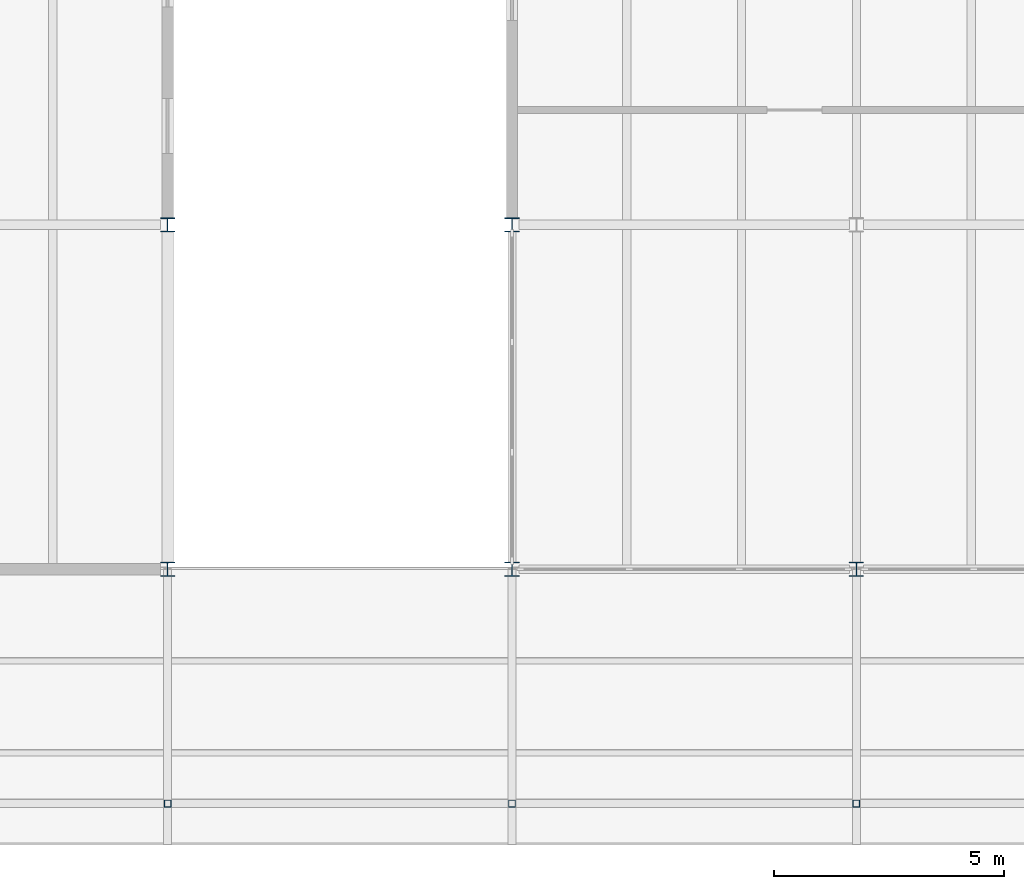
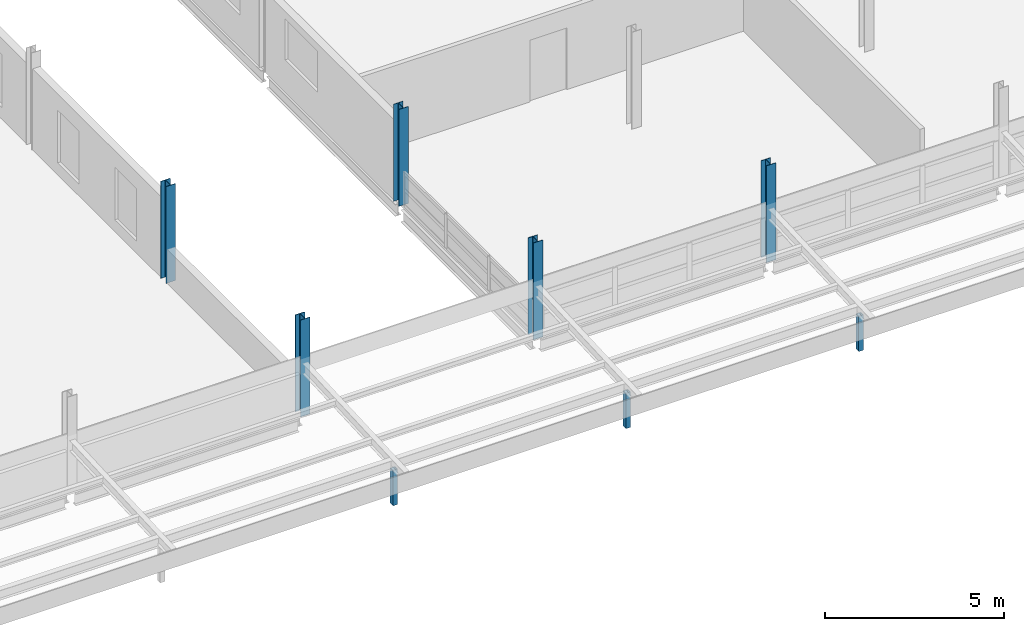
# One storey, part 18 of 214: 8 columns.
"""IFC4 building model written with IfcOpenShell, lengths in metres."""

from ifc_helpers import new_model, si_unit, direction, frame, origin, origin_2d, place, context, subcontext, project, spatial, hollow_rectangle, i_section, extrude, material, material_profile, profile_set, type_object, element, save


model = new_model("IFC4")

# Units and contexts
model_context = context("Model", 3, precision=1e-05, world=origin(), true_north=direction((0.0, 1.0)))
body_context = subcontext(model_context, "Body", "Model", "MODEL_VIEW")
ifc_project = project(units=[si_unit("LENGTHUNIT", "METRE"), si_unit("AREAUNIT", "SQUARE_METRE"), si_unit("VOLUMEUNIT", "CUBIC_METRE"), si_unit("PLANEANGLEUNIT", "RADIAN"), si_unit("MASSUNIT", "GRAM", prefix="KILO")], contexts=[model_context])

# Site, building, storey
site_placement = place(None, origin())
site = spatial("IfcSite", under=ifc_project, at=site_placement, CompositionType="ELEMENT")
building_placement = place(site_placement, origin())
building = spatial("IfcBuilding", under=site, at=building_placement, Name="Parallax Yard Mobility Hub", CompositionType="ELEMENT")
storey_placement = place(building_placement, frame((0.0, 0.0, 3.300048828125)))
storey = spatial("IfcBuildingStorey", under=building, at=storey_placement, Name="L01", CompositionType="ELEMENT", Elevation=3.300048828125)

# Columns
ifc_material_1 = material(Name="Steel ASTM A500 Gr C", Category="steel")
ifc_material_profile_1 = material_profile(ifc_material_1, hollow_rectangle(XDim=0.15234375, YDim=0.15234375, WallThickness=0.009521484375, at=origin_2d()), Name="HSS152x152x9.5")
ifc_profile_set_1 = profile_set([ifc_material_profile_1], Name="Steel ASTM A500 Gr C")
column_type_1 = type_object("IfcColumnType", Name="Roof column HSS152x152x9.5", PredefinedType="COLUMN", material=ifc_profile_set_1)
for number, where, z_axis, x_axis, name in (
    (1, (142.5, 2.39990234375, 0.0), (0.0, 0.0, 1.0), (1.0, 0.0, 0.0), "Arcade column V6 7 level L01"),
    (2, (150.0, 2.39990234375, 0.0), (0.0, 0.0, 1.0), (1.0, 0.0, 0.0), "Arcade column V6 8 level L01"),
    (3, (157.5, 2.39990234375, 0.0), (0.0, 0.0, 1.0), (1.0, 0.0, 0.0), "Arcade column V6 9 level L01"),
):
    element("IfcColumn", number, at=place(storey_placement, frame(where, z_axis=z_axis, x_axis=x_axis)), inside=storey, type_object=column_type_1, Name=name, PredefinedType="COLUMN", context=body_context, shape_type="SweptSolid", body=[
        extrude(hollow_rectangle(XDim=0.15234375, YDim=0.15234375, WallThickness=0.009521484375, at=origin_2d()), origin(), (0.0, 0.0, 1.0), 1.199951171875),
    ])
ifc_material_2 = material(Name="Steel ASTM A992", Category="steel")
ifc_material_profile_2 = material_profile(ifc_material_2, i_section(OverallWidth=0.304931640625, OverallDepth=0.306884765625, WebThickness=0.010009765625, FlangeThickness=0.015380859375, FilletRadius=0.01513671875, at=origin_2d()), Name="W310x97")
ifc_profile_set_2 = profile_set([ifc_material_profile_2], Name="Steel ASTM A992")
column_type_2 = type_object("IfcColumnType", Name="W310x97 column", PredefinedType="COLUMN", material=ifc_profile_set_2)
for number, where, z_axis, x_axis, name in (
    (4, (150.0, 7.5, 0.0), (0.0, 0.0, 1.0), (1.0, 0.0, 0.0), "Column C1 level L01 at B/21 of bicycle and shared-mobility hall"),
    (5, (150.0, 15.0, 0.0), (0.0, 0.0, 1.0), (1.0, 0.0, 0.0), "Column C1 level L01 at C/21 of bicycle and shared-mobility hall"),
    (6, (157.5, 7.5, 0.0), (0.0, 0.0, 1.0), (1.0, 0.0, 0.0), "Column C1 level L01 at B/22 of bicycle and shared-mobility hall"),
    (7, (142.5, 7.5, 0.0), (0.0, 0.0, 1.0), (1.0, 0.0, 0.0), "Column C1 level L01 at B/20 of mobility service centre and workshops"),
    (8, (142.5, 15.0, 0.0), (0.0, 0.0, 1.0), (1.0, 0.0, 0.0), "Column C1 level L01 at C/20 of mobility service centre and workshops"),
):
    element("IfcColumn", number, at=place(storey_placement, frame(where, z_axis=z_axis, x_axis=x_axis)), inside=storey, type_object=column_type_2, Name=name, PredefinedType="COLUMN", context=body_context, shape_type="SweptSolid", body=[
        extrude(i_section(OverallWidth=0.304931640625, OverallDepth=0.306884765625, WebThickness=0.010009765625, FlangeThickness=0.015380859375, FilletRadius=0.01513671875, at=origin_2d()), origin(), (0.0, 0.0, 1.0), 3.300048828125),
    ])

save(model, "model.ifc")
